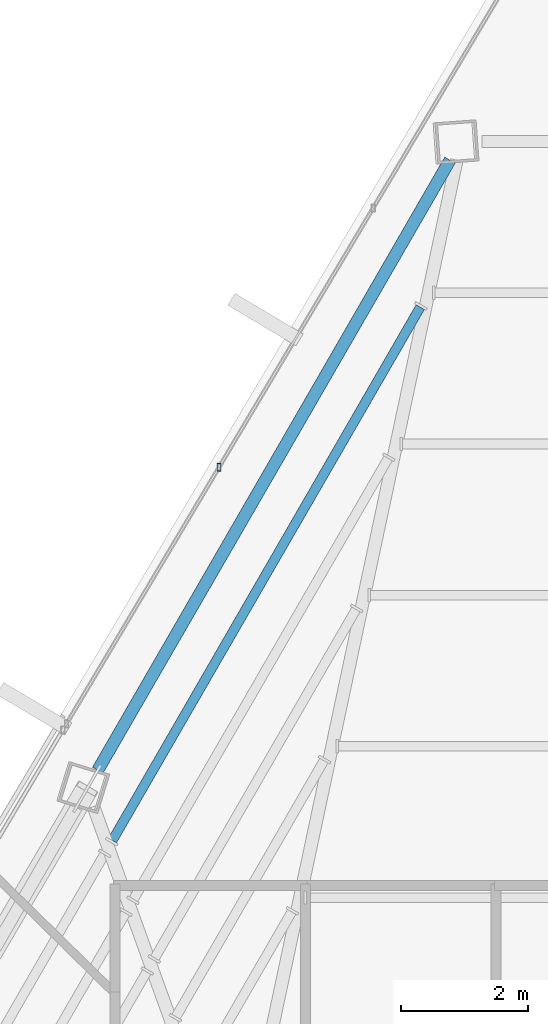
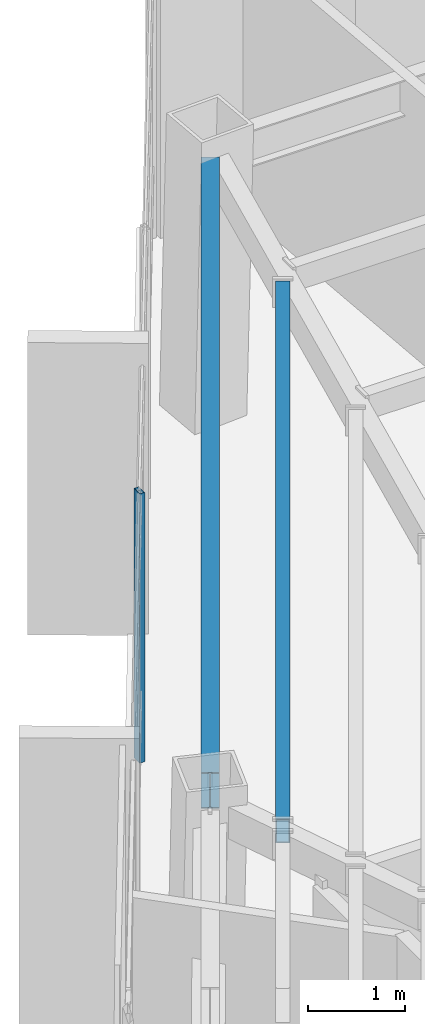
# One storey, part 31 of 47: 2 beams, 1 member, 1 element without a shape of its own.
"""IFC4 building model written with IfcOpenShell, lengths in metres."""

import ifcopenshell
import ifcopenshell.guid

model = None  # the IFC model being written
_history = None  # IfcOwnerHistory: only IFC2X3 demands one
_inside = {}  # id of a spatial element -> (the spatial element, [elements in it])
_under = {}  # id of a project, library or spatial element -> (it, [spatial elements below it])
_declared = {}  # id of a project -> (the project, [libraries it declares])
_typed = {}  # id of a type object -> (the type object, [elements of that type])
_made_of = {}  # id of a material, layer set ... -> (it, [elements and type objects made of it])


def new_model(schema):
    """Start an empty IFC model of exactly this schema.

    Asked for "IFC4X3", IfcOpenShell would pick the latest addendum, in which some entities
    have other attributes; the version numbers below select the first issue.
    IFC2X3 requires an IfcOwnerHistory on every rooted entity: one is made here for all.
    """
    global model, _history
    if schema == "IFC4X3":
        model = ifcopenshell.file(schema_version=(4, 3, 0, 0))
    else:
        model = ifcopenshell.file(schema=schema)
    _inside.clear()
    _under.clear()
    _declared.clear()
    _typed.clear()
    _made_of.clear()
    _history = None
    if model.schema == "IFC2X3":
        org = make("IfcOrganization", Name="unknown")
        user = make(
            "IfcPersonAndOrganization",
            ThePerson=make("IfcPerson", FamilyName="unknown"),
            TheOrganization=org,
        )
        app = make(
            "IfcApplication",
            ApplicationDeveloper=org,
            Version="unknown",
            ApplicationFullName="unknown",
            ApplicationIdentifier="unknown",
        )
        _history = make(
            "IfcOwnerHistory",
            OwningUser=user,
            OwningApplication=app,
            ChangeAction="ADDED",
            CreationDate=0,
        )
    return model


def make(cls, **values):
    """One entity of the class cls with the attributes given. An attribute that is None is left unset."""
    return model.create_entity(
        cls, **{name: value for name, value in values.items() if value is not None}
    )


def rooted(cls, **values):
    """An entity with a GlobalId (a new one), such as an element, a storey or a relation."""
    return make(cls, GlobalId=ifcopenshell.guid.new(), OwnerHistory=_history, **values)


def si_unit(unit_type, name, prefix=None):
    """IfcSIUnit, for example si_unit("LENGTHUNIT", "METRE", prefix="MILLI")."""
    return make("IfcSIUnit", UnitType=unit_type, Prefix=prefix, Name=name)


def assignment(units):
    """IfcUnitAssignment: the units of a project."""
    return None if units is None else make("IfcUnitAssignment", Units=units)


def point(xyz):
    """IfcCartesianPoint."""
    return None if xyz is None else make("IfcCartesianPoint", Coordinates=xyz)


def direction(xyz):
    """IfcDirection."""
    return None if xyz is None else make("IfcDirection", DirectionRatios=xyz)


def frame(location, z_axis=None, x_axis=None):
    """IfcAxis2Placement3D, a coordinate frame: its origin and axes. An axis left out is left unset."""
    return make(
        "IfcAxis2Placement3D",
        Location=point(location),
        Axis=direction(z_axis),
        RefDirection=direction(x_axis),
    )


def frame_2d(location, x_axis=None):
    """IfcAxis2Placement2D, a coordinate frame in the plane: its origin and x axis."""
    return make(
        "IfcAxis2Placement2D", Location=point(location), RefDirection=direction(x_axis)
    )


def origin():
    """The frame at (0, 0, 0) with its axes left unset."""
    return frame((0.0, 0.0, 0.0))


def origin_2d():
    """The frame at (0, 0) in the plane with its x axis left unset."""
    return frame_2d((0.0, 0.0))


def place(relative_to, where):
    """IfcLocalPlacement: puts the frame where relative to a parent placement (None: the world)."""
    return make(
        "IfcLocalPlacement", PlacementRelTo=relative_to, RelativePlacement=where
    )


def context(
    kind, dimensions, precision=None, world=None, true_north=None, identifier=None
):
    """IfcGeometricRepresentationContext, for example the 3D "Model" context."""
    return make(
        "IfcGeometricRepresentationContext",
        ContextIdentifier=identifier,
        ContextType=kind,
        CoordinateSpaceDimension=dimensions,
        Precision=precision,
        WorldCoordinateSystem=world,
        TrueNorth=true_north,
    )


def subcontext(parent, identifier, kind, view, scale=None):
    """IfcGeometricRepresentationSubContext, for example "Body" below "Model"."""
    return make(
        "IfcGeometricRepresentationSubContext",
        ContextIdentifier=identifier,
        ContextType=kind,
        ParentContext=parent,
        TargetScale=scale,
        TargetView=view,
    )


def project(units=None, contexts=None):
    """IfcProject with its units and contexts."""
    return rooted(
        "IfcProject",
        Name="project",
        RepresentationContexts=contexts,
        UnitsInContext=assignment(units),
    )


def spatial(cls, under=None, at=None, **own):
    """A site, building, storey or space (cls), placed at a placement, below another one or the project."""
    s = rooted(cls, ObjectPlacement=at, **own)
    if under is not None:
        _under.setdefault(under.id(), (under, []))[1].append(s)
    return s


def profile(cls, at=None, kind="AREA", **sizes):
    """A parametric profile (cls). Its sizes go by their IFC names, for example OverallWidth=200.0."""
    return make(cls, ProfileType=kind, Position=at, **sizes)


def hollow_rectangle(**sizes):
    """IfcRectangleHollowProfileDef."""
    return profile("IfcRectangleHollowProfileDef", **sizes)


def i_section(**sizes):
    """IfcIShapeProfileDef."""
    return profile("IfcIShapeProfileDef", **sizes)


def extrude(swept, where, along, depth):
    """IfcExtrudedAreaSolid: the profile swept, set in the frame where, extruded along a direction by depth."""
    return make(
        "IfcExtrudedAreaSolid",
        SweptArea=swept,
        Position=where,
        ExtrudedDirection=direction(along),
        Depth=depth,
    )


def shape(context_of_items, identifier, shape_type, items):
    """IfcShapeRepresentation: the items that make up one representation, for example the "Body"."""
    return make(
        "IfcShapeRepresentation",
        ContextOfItems=context_of_items,
        RepresentationIdentifier=identifier,
        RepresentationType=shape_type,
        Items=items,
    )


def source(mapping_origin, context_of_items, identifier, shape_type, items):
    """IfcRepresentationMap: a shape defined once, which mapped items show again and again."""
    return make(
        "IfcRepresentationMap",
        MappingOrigin=mapping_origin,
        MappedRepresentation=shape(context_of_items, identifier, shape_type, items),
    )


def transform(
    local_origin,
    x_axis=None,
    y_axis=None,
    z_axis=None,
    scale=None,
    scale2=None,
    scale3=None,
    uniform=True,
):
    """IfcCartesianTransformationOperator3D, or its non-uniform kind. x_axis, y_axis, z_axis: its Axis1, 2, 3."""
    if uniform:
        return make(
            "IfcCartesianTransformationOperator3D",
            Axis1=direction(x_axis),
            Axis2=direction(y_axis),
            LocalOrigin=point(local_origin),
            Scale=scale,
            Axis3=direction(z_axis),
        )
    return make(
        "IfcCartesianTransformationOperator3DnonUniform",
        Axis1=direction(x_axis),
        Axis2=direction(y_axis),
        LocalOrigin=point(local_origin),
        Scale=scale,
        Axis3=direction(z_axis),
        Scale2=scale2,
        Scale3=scale3,
    )


def mapped(mapping_source, mapping_target):
    """IfcMappedItem: shows the shape of a source again, moved by a transform."""
    return make(
        "IfcMappedItem", MappingSource=mapping_source, MappingTarget=mapping_target
    )


def material(Name=None, Category=None):
    """IfcMaterial."""
    return make("IfcMaterial", Name=Name, Category=Category)


def material_profile(
    of_material, cross_section, Name=None, Category=None, Priority=None
):
    """IfcMaterialProfile: a cross section and its material."""
    return make(
        "IfcMaterialProfile",
        Name=Name,
        Material=of_material,
        Profile=cross_section,
        Priority=Priority,
        Category=Category,
    )


def profile_set(profiles, Name=None, composite=None):
    """IfcMaterialProfileSet."""
    return make(
        "IfcMaterialProfileSet",
        Name=Name,
        MaterialProfiles=profiles,
        CompositeProfile=composite,
    )


def made_of(thing, what):
    """Note that an element or type object is made of a material, layer set ...; save() writes the relation."""
    if what is not None:
        _made_of.setdefault(what.id(), (what, []))[1].append(thing)
    return thing


def type_object(cls, material=None, **own):
    """A type object (cls), such as IfcWallType, which elements share."""
    return made_of(rooted(cls, **own), material)


def type_shapes(of_type, sources):
    """Give a type object the sources (RepresentationMaps) that its elements show as mapped items."""
    of_type.RepresentationMaps = sources


def element(
    cls,
    number,
    at=None,
    inside=None,
    cuts=None,
    type_object=None,
    material=None,
    context=None,
    identifier="Body",
    shape_type=None,
    held_by="IfcProductDefinitionShape",
    body=None,
    shapes=None,
    **own,
):
    """One element of the class cls, such as IfcWall. Its Tag is "e" and its number.

    at: its placement. inside: the storey or other place that contains it. cuts: it is an
    opening in that element (IfcRelVoidsElement). A single representation is given by context,
    identifier, shape_type and body (its items); several are given by shapes. held_by: the class
    of the entity that holds the representations. save() writes the other relations.
    """
    e = rooted(cls, Tag="e%d" % number, ObjectPlacement=at, **own)
    if body is not None:
        shapes = [shape(context, identifier, shape_type, body)]
    if shapes is not None:
        e.Representation = make(held_by, Representations=shapes)
    if inside is not None:
        _inside.setdefault(inside.id(), (inside, []))[1].append(e)
    if cuts is not None:
        rooted(
            "IfcRelVoidsElement", RelatingBuildingElement=cuts, RelatedOpeningElement=e
        )
    if type_object is not None:
        _typed.setdefault(type_object.id(), (type_object, []))[1].append(e)
    return made_of(e, material)


def aggregate(whole, parts):
    """IfcRelAggregates: a whole, such as a stair, and the parts it consists of."""
    return rooted("IfcRelAggregates", RelatingObject=whole, RelatedObjects=parts)


def save(model, path):
    """Write the relations noted so far, then the file.

    IfcRelAggregates (storeys below a building ...), IfcRelContainedInSpatialStructure (elements
    in a storey), IfcRelDefinesByType, IfcRelAssociatesMaterial and IfcRelDeclares: one each for
    every whole, place, type object, material and project.
    """
    for whole, parts in _under.values():
        aggregate(whole, parts)
    for where, things in _inside.values():
        rooted(
            "IfcRelContainedInSpatialStructure",
            RelatedElements=things,
            RelatingStructure=where,
        )
    for kind, things in _typed.values():
        rooted("IfcRelDefinesByType", RelatedObjects=things, RelatingType=kind)
    for what, things in _made_of.values():
        rooted("IfcRelAssociatesMaterial", RelatedObjects=things, RelatingMaterial=what)
    for by, libraries in _declared.values():
        rooted("IfcRelDeclares", RelatingContext=by, RelatedDefinitions=libraries)
    model.write(path)


model = new_model("IFC4")

# Units and contexts
model_context = context("Model", 3, precision=1e-05, world=origin(), true_north=direction((0.0, 1.0)))
body_context = subcontext(model_context, "Body", "Model", "MODEL_VIEW")
ifc_project = project(units=[si_unit("LENGTHUNIT", "METRE"), si_unit("AREAUNIT", "SQUARE_METRE"), si_unit("VOLUMEUNIT", "CUBIC_METRE"), si_unit("PLANEANGLEUNIT", "RADIAN"), si_unit("MASSUNIT", "GRAM", prefix="KILO")], contexts=[model_context])

# Site, building, storey
site_placement = place(None, origin())
site = spatial("IfcSite", under=ifc_project, at=site_placement, CompositionType="ELEMENT")
building_placement = place(site_placement, origin())
building = spatial("IfcBuilding", under=site, at=building_placement, Name="Caelisora Broadcast Tower", CompositionType="ELEMENT")
storey_placement = place(building_placement, frame((0.0, 0.0, 248.10009765625)))
storey = spatial("IfcBuildingStorey", under=building, at=storey_placement, Name="L65", CompositionType="ELEMENT", Elevation=248.10009765625)

# Beams
ifc_material_1 = material(Name="Steel Grade 350 (AS/NZS 3679.1)", Category="steel")
ifc_material_profile_1 = material_profile(ifc_material_1, i_section(OverallWidth=0.19091796875, OverallDepth=0.46044921875, WebThickness=0.010009765625, FlangeThickness=0.01611328125, at=origin_2d()), Name="Steel Grade 350 (AS/NZS 3679.1)")
ifc_profile_set_1 = profile_set([ifc_material_profile_1], Name="Steel Grade 350 (AS/NZS 3679.1)")
beam_type_1 = type_object("IfcBeamType", Name="PG06", PredefinedType="BEAM", material=ifc_profile_set_1)
shared_shape_1 = source(origin(), body_context, "Body", "SweptSolid", [
    extrude(i_section(OverallWidth=0.19091796875, OverallDepth=0.46044921875, WebThickness=0.010009765625, FlangeThickness=0.01611328125, at=origin_2d()), origin(), (0.0, 0.0, 1.0), 11.09130859375),
])
type_shapes(beam_type_1, [shared_shape_1])
beam_1_placement = place(storey_placement, frame((33.873779296875, 46.373779296875, 3.169677734375), z_axis=(-0.499995559283, -0.866027967618, 0.0), x_axis=(0.866027967618, -0.499995559283, 0.0)))
element("IfcBeam", 1, at=beam_1_placement, inside=storey, type_object=beam_type_1, Name="L65 beam PG06", PredefinedType="BEAM", context=body_context, shape_type="MappedRepresentation", body=[
    mapped(shared_shape_1, transform((0.0, 0.0, 0.0), scale=1.0)),
])
ifc_material_2 = material(Name="Steel Grade 350 (AS/NZS 1163 C350L0)", Category="steel")
ifc_material_profile_2 = material_profile(ifc_material_2, hollow_rectangle(XDim=0.14990234375, YDim=0.300048828125, WallThickness=0.010009765625, at=origin_2d()), Name="Steel Grade 350 (AS/NZS 1163 C350L0)")
ifc_profile_set_2 = profile_set([ifc_material_profile_2], Name="Steel Grade 350 (AS/NZS 1163 C350L0)")
beam_type_2 = type_object("IfcBeamType", Name="SB05", PredefinedType="JOIST", material=ifc_profile_set_2)
shared_shape_2 = source(origin(), body_context, "Body", "SweptSolid", [
    extrude(hollow_rectangle(XDim=0.14990234375, YDim=0.300048828125, WallThickness=0.010009765625, at=origin_2d()), origin(), (0.0, 0.0, 1.0), 9.698486328125),
])
type_shapes(beam_type_2, [shared_shape_2])
beam_2_placement = place(storey_placement, frame((33.40673828125, 44.060302734375, 3.25), z_axis=(-0.499989024891, -0.866031740174, 0.0), x_axis=(0.866031740174, -0.499989024891, 0.0)))
element("IfcBeam", 2, at=beam_2_placement, inside=storey, type_object=beam_type_2, Name="L65 beam SB05", PredefinedType="JOIST", context=body_context, shape_type="MappedRepresentation", body=[
    mapped(shared_shape_2, transform((0.0, 0.0, 0.0), scale=1.0)),
])

# Curtain wall, member
ifc_material_3 = material(Name="Unitised Aluminium and Low-E Glass Curtain Wall", Category="glass")
curtain_wall_type = type_object("IfcCurtainWallType", Name="CW-Z5", PredefinedType="NOTDEFINED", material=ifc_material_3)
curtain_wall_placement = place(storey_placement, origin())
curtain_wall = element("IfcCurtainWall", 3, at=curtain_wall_placement, inside=storey, type_object=curtain_wall_type, Name="L65 curtain wall CW-Z5", PredefinedType="NOTDEFINED")
ifc_material_4 = material(Name="Aluminium 6063-T6 Anodised Terracotta Bronze", Category="aluminium")
ifc_material_profile_3 = material_profile(ifc_material_4, hollow_rectangle(XDim=0.06005859375, YDim=0.1201171875, WallThickness=0.0029296875, at=origin_2d()), Name="Aluminium 6063-T6 Anodised Terracotta Bronze")
ifc_profile_set_3 = profile_set([ifc_material_profile_3], Name="Aluminium 6063-T6 Anodised Terracotta Bronze")
member_type = type_object("IfcMemberType", Name="CWM-04", PredefinedType="MULLION", material=ifc_profile_set_3)
shared_shape_3 = source(origin(), body_context, "Body", "SweptSolid", [
    extrude(hollow_rectangle(XDim=0.06005859375, YDim=0.1201171875, WallThickness=0.0029296875, at=origin_2d()), origin(), (0.0, 0.0, 1.0), 3.39990234375),
])
type_shapes(member_type, [shared_shape_3])
member_placement = place(storey_placement, frame((30.2373046875, 41.53759765625, 0.0), z_axis=(0.0, 0.0, 1.0), x_axis=(1.0, 0.0, 0.0)))
member = element("IfcMember", 4, at=member_placement, type_object=member_type, Name="L65-CW-B11 mullion #1", PredefinedType="MULLION", context=body_context, shape_type="MappedRepresentation", body=[
    mapped(shared_shape_3, transform((0.0, 0.0, 0.0), scale=1.0)),
])
aggregate(curtain_wall, [member])

save(model, "model.ifc")
